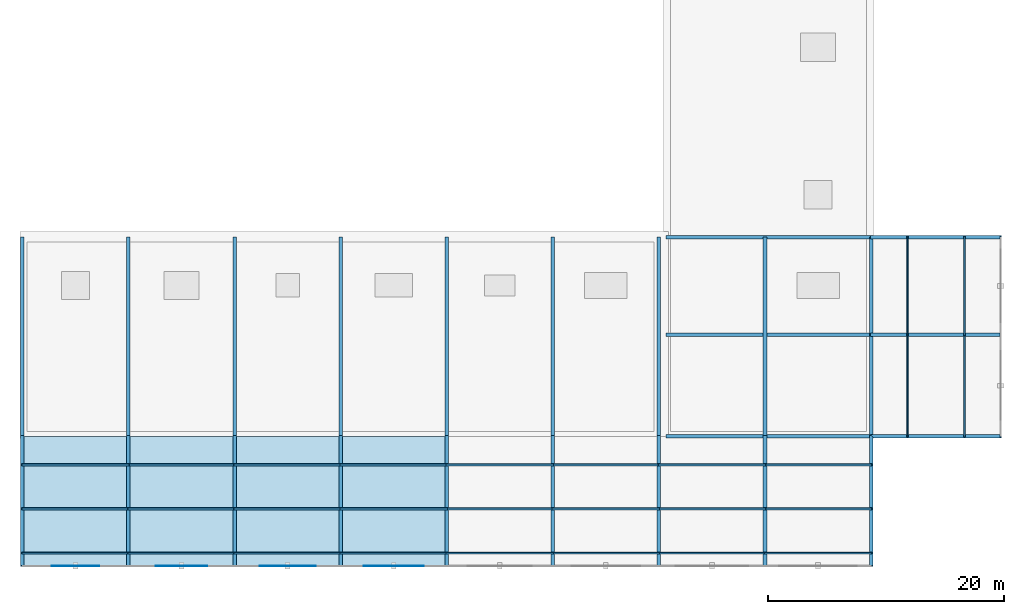
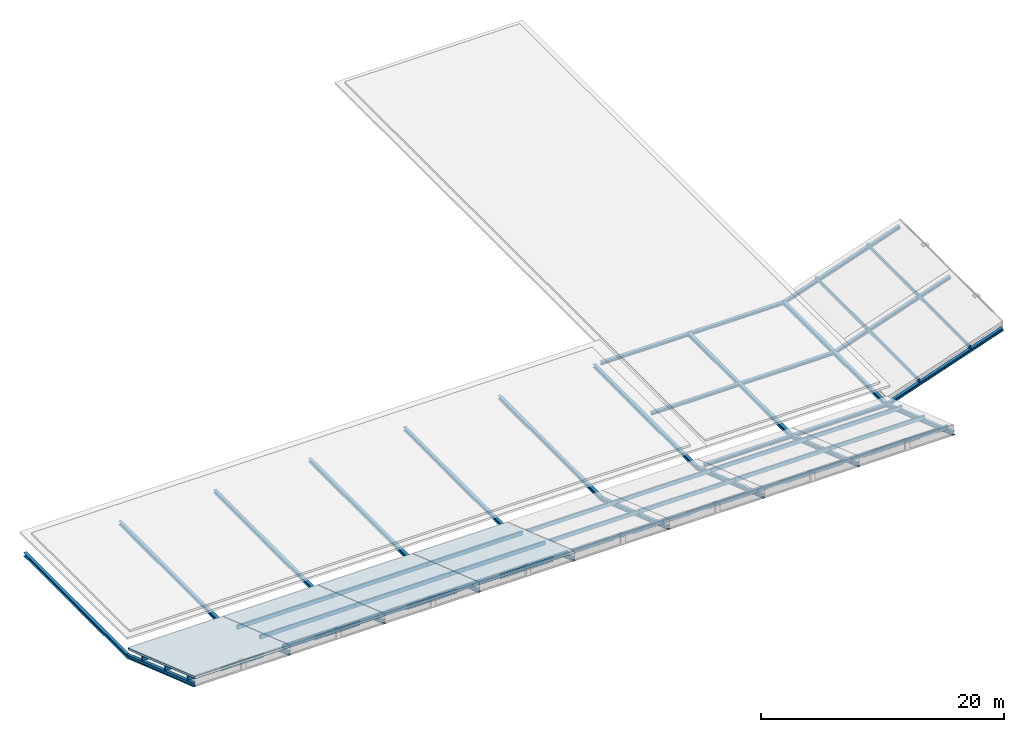
# One storey, part 1 of 3: 52 members, 4 plates, 4 slabs, 1 element without a shape of its own.
"""IFC4 building model written with IfcOpenShell, lengths in metres."""

from ifc_helpers import new_model, si_unit, direction, frame, origin, origin_2d, place, context, subcontext, project, spatial, polyline, rectangle, i_section, outline, extrude, material, layer, layer_set, material_profile, profile_set, type_object, element, aggregate, save


model = new_model("IFC4")

# Units and contexts
model_context = context("Model", 3, precision=1e-05, world=origin(), true_north=direction((0.0, 1.0)))
body_context = subcontext(model_context, "Body", "Model", "MODEL_VIEW")
ifc_project = project(units=[si_unit("LENGTHUNIT", "METRE"), si_unit("AREAUNIT", "SQUARE_METRE"), si_unit("VOLUMEUNIT", "CUBIC_METRE"), si_unit("PLANEANGLEUNIT", "RADIAN"), si_unit("MASSUNIT", "GRAM", prefix="KILO")], contexts=[model_context])

# Site, building, storey
site_placement = place(None, origin())
site = spatial("IfcSite", under=ifc_project, at=site_placement, CompositionType="ELEMENT")
building_placement = place(site_placement, origin())
building = spatial("IfcBuilding", under=site, at=building_placement, Name="Kaldris Quays Convention Centre", CompositionType="ELEMENT")
storey_placement = place(building_placement, frame((0.0, 0.0, 26.39990234375)))
storey = spatial("IfcBuildingStorey", under=building, at=storey_placement, Name="RF", CompositionType="ELEMENT", Elevation=26.39990234375)

# Members
ifc_material_1 = material(Name="Glulam GL28h", Category="wood")
ifc_material_profile_1 = material_profile(ifc_material_1, rectangle(XDim=0.159912109375, YDim=0.39990234375, at=origin_2d()), Name="GL 160x400")
ifc_profile_set_1 = profile_set([ifc_material_profile_1], Name="Glulam GL28h")
member_type_1 = type_object("IfcMemberType", Name="STRUCTURAL MEMBER PR01", PredefinedType="PURLIN", material=ifc_profile_set_1)
for number, where, z_axis, x_axis, name in (
    (1, (91.949951171875, 35.580078125, -0.798583984375), (1.0, 0.0, 0.0), (0.0, 1.0, 0.0), "WR-SOUTH-CROWN Glulam Wing Purlin 1"),
    (2, (91.949951171875, 31.840087890625, 0.4892578125), (1.0, 0.0, 0.0), (0.0, 1.0, 0.0), "WR-SOUTH-CROWN Glulam Wing Purlin 1"),
    (3, (91.949951171875, 28.10009765625, 1.777099609375), (1.0, 0.0, 0.0), (0.0, 1.0, 0.0), "WR-SOUTH-CROWN Glulam Wing Purlin 1"),
    (4, (100.949951171875, 35.580078125, -0.798583984375), (1.0, 0.0, 0.0), (0.0, 1.0, 0.0), "WR-SOUTH-CROWN Glulam Wing Purlin 2"),
    (5, (100.949951171875, 31.840087890625, 0.4892578125), (1.0, 0.0, 0.0), (0.0, 1.0, 0.0), "WR-SOUTH-CROWN Glulam Wing Purlin 2"),
    (6, (100.949951171875, 28.10009765625, 1.777099609375), (1.0, 0.0, 0.0), (0.0, 1.0, 0.0), "WR-SOUTH-CROWN Glulam Wing Purlin 2"),
    (7, (109.949951171875, 35.580078125, -0.798583984375), (1.0, 0.0, 0.0), (0.0, 1.0, 0.0), "WR-SOUTH-CROWN Glulam Wing Purlin 3"),
    (8, (109.949951171875, 31.840087890625, 0.4892578125), (1.0, 0.0, 0.0), (0.0, 1.0, 0.0), "WR-SOUTH-CROWN Glulam Wing Purlin 3"),
    (9, (109.949951171875, 28.10009765625, 1.777099609375), (1.0, 0.0, 0.0), (0.0, 1.0, 0.0), "WR-SOUTH-CROWN Glulam Wing Purlin 3"),
    (10, (118.949951171875, 35.580078125, -0.798583984375), (1.0, 0.0, 0.0), (0.0, 1.0, 0.0), "WR-SOUTH-CROWN Glulam Wing Purlin 4"),
    (11, (118.949951171875, 31.840087890625, 0.4892578125), (1.0, 0.0, 0.0), (0.0, 1.0, 0.0), "WR-SOUTH-CROWN Glulam Wing Purlin 4"),
    (12, (118.949951171875, 28.10009765625, 1.777099609375), (1.0, 0.0, 0.0), (0.0, 1.0, 0.0), "WR-SOUTH-CROWN Glulam Wing Purlin 4"),
    (13, (127.949951171875, 35.580078125, -0.798583984375), (1.0, 0.0, 0.0), (0.0, 1.0, 0.0), "WR-SOUTH-CROWN Glulam Wing Purlin 5"),
    (14, (127.949951171875, 31.840087890625, 0.4892578125), (1.0, 0.0, 0.0), (0.0, 1.0, 0.0), "WR-SOUTH-CROWN Glulam Wing Purlin 5"),
    (15, (127.949951171875, 28.10009765625, 1.777099609375), (1.0, 0.0, 0.0), (0.0, 1.0, 0.0), "WR-SOUTH-CROWN Glulam Wing Purlin 5"),
    (16, (136.949951171875, 35.580078125, -0.798583984375), (1.0, 0.0, 0.0), (0.0, 1.0, 0.0), "WR-SOUTH-CROWN Glulam Wing Purlin 6"),
    (17, (136.949951171875, 31.840087890625, 0.4892578125), (1.0, 0.0, 0.0), (0.0, 1.0, 0.0), "WR-SOUTH-CROWN Glulam Wing Purlin 6"),
    (18, (136.949951171875, 28.10009765625, 1.777099609375), (1.0, 0.0, 0.0), (0.0, 1.0, 0.0), "WR-SOUTH-CROWN Glulam Wing Purlin 6"),
    (19, (145.949951171875, 35.580078125, -0.798583984375), (1.0, 0.0, 0.0), (0.0, 1.0, 0.0), "WR-SOUTH-CROWN Glulam Wing Purlin 7"),
    (20, (145.949951171875, 31.840087890625, 0.4892578125), (1.0, 0.0, 0.0), (0.0, 1.0, 0.0), "WR-SOUTH-CROWN Glulam Wing Purlin 7"),
    (21, (145.949951171875, 28.10009765625, 1.777099609375), (1.0, 0.0, 0.0), (0.0, 1.0, 0.0), "WR-SOUTH-CROWN Glulam Wing Purlin 7"),
    (22, (154.949951171875, 35.580078125, -0.798583984375), (1.0, 0.0, 0.0), (0.0, 1.0, 0.0), "WR-SOUTH-CROWN Glulam Wing Purlin 8"),
    (23, (154.949951171875, 31.840087890625, 0.4892578125), (1.0, 0.0, 0.0), (0.0, 1.0, 0.0), "WR-SOUTH-CROWN Glulam Wing Purlin 8"),
    (24, (154.949951171875, 28.10009765625, 1.777099609375), (1.0, 0.0, 0.0), (0.0, 1.0, 0.0), "WR-SOUTH-CROWN Glulam Wing Purlin 8"),
):
    element("IfcMember", number, at=place(storey_placement, frame(where, z_axis=z_axis, x_axis=x_axis)), inside=storey, type_object=member_type_1, Name=name, PredefinedType="PURLIN", context=body_context, shape_type="SweptSolid", body=[
        extrude(rectangle(XDim=0.159912109375, YDim=0.39990234375, at=origin_2d()), origin(), (0.0, 0.0, 1.0), 9.10009765625),
    ])
ifc_material_profile_2 = material_profile(ifc_material_1, rectangle(XDim=0.139892578125, YDim=0.320068359375, at=origin_2d()), Name="GL 140x320")
ifc_profile_set_2 = profile_set([ifc_material_profile_2], Name="Glulam GL28h")
member_type_2 = type_object("IfcMemberType", Name="STRUCTURAL MEMBER PR02", PredefinedType="PURLIN", material=ifc_profile_set_2)
for number, where, z_axis, x_axis, name in (
    (25, (167.080078125, 37.949951171875, -0.641357421875), (0.0, 1.0, 0.0), (-1.0, 0.0, 0.0), "WR-EAST Glulam Wing Purlin 1"),
    (26, (171.919921875, 37.949951171875, 1.025146484375), (0.0, 1.0, 0.0), (-1.0, 0.0, 0.0), "WR-EAST Glulam Wing Purlin 1"),
):
    element("IfcMember", number, at=place(storey_placement, frame(where, z_axis=z_axis, x_axis=x_axis)), inside=storey, type_object=member_type_2, Name=name, PredefinedType="PURLIN", context=body_context, shape_type="SweptSolid", body=[
        extrude(rectangle(XDim=0.139892578125, YDim=0.320068359375, at=origin_2d()), origin(), (0.0, 0.0, 1.0), 8.699951171875),
    ])
for number, where, z_axis, x_axis, name in (
    (27, (167.080078125, 46.550048828125, -0.641357421875), (0.0, 1.0, 0.0), (-1.0, 0.0, 0.0), "WR-EAST Glulam Wing Purlin 2"),
    (28, (171.919921875, 46.550048828125, 1.025146484375), (0.0, 1.0, 0.0), (-1.0, 0.0, 0.0), "WR-EAST Glulam Wing Purlin 2"),
):
    element("IfcMember", number, at=place(storey_placement, frame(where, z_axis=z_axis, x_axis=x_axis)), inside=storey, type_object=member_type_2, Name=name, PredefinedType="PURLIN", context=body_context, shape_type="SweptSolid", body=[
        extrude(rectangle(XDim=0.139892578125, YDim=0.320068359375, at=origin_2d()), origin(), (0.0, 0.0, 1.0), 8.39990234375),
    ])
ifc_material_2 = material(Name="Steel S355J2", Category="steel")
ifc_material_profile_3 = material_profile(ifc_material_2, i_section(OverallWidth=0.300048828125, OverallDepth=0.35009765625, WebThickness=0.010009765625, FlangeThickness=0.017578125, FilletRadius=0.027099609375, at=origin_2d()), Name="HEA 360")
ifc_profile_set_3 = profile_set([ifc_material_profile_3], Name="Steel S355J2")
member_type_3 = type_object("IfcMemberType", Name="STRUCTURAL MEMBER WRF1", PredefinedType="RAFTER", material=ifc_profile_set_3)
member_1_placement = place(storey_placement, frame((92.0, 54.89990234375, -2.0), z_axis=(0.0, -1.0, 0.0), x_axis=(1.0, 0.0, 0.0)))
element("IfcMember", 29, at=member_1_placement, inside=storey, type_object=member_type_3, Name="WR-SOUTH-CROWN Wing Rafter Backspan 1", PredefinedType="RAFTER", context=body_context, shape_type="SweptSolid", body=[
    extrude(i_section(OverallWidth=0.300048828125, OverallDepth=0.35009765625, WebThickness=0.010009765625, FlangeThickness=0.017578125, FilletRadius=0.027099609375, at=origin_2d()), origin(), (0.0, 0.0, 1.0), 16.89990234375),
])
member_2_placement = place(storey_placement, frame((92.0, 38.0, -2.0), z_axis=(0.0, -0.945518736739, 0.325567686474), x_axis=(1.0, 0.0, 0.0)))
element("IfcMember", 30, at=member_2_placement, inside=storey, type_object=member_type_3, Name="WR-SOUTH-CROWN Wing Cantilever Rafter 1", PredefinedType="RAFTER", context=body_context, shape_type="SweptSolid", body=[
    extrude(i_section(OverallWidth=0.300048828125, OverallDepth=0.35009765625, WebThickness=0.010009765625, FlangeThickness=0.017578125, FilletRadius=0.027099609375, at=origin_2d()), origin(), (0.0, 0.0, 1.0), 11.6337890625),
])
member_3_placement = place(storey_placement, frame((101.0, 54.89990234375, -2.0), z_axis=(0.0, -1.0, 0.0), x_axis=(1.0, 0.0, 0.0)))
element("IfcMember", 31, at=member_3_placement, inside=storey, type_object=member_type_3, Name="WR-SOUTH-CROWN Wing Rafter Backspan 2", PredefinedType="RAFTER", context=body_context, shape_type="SweptSolid", body=[
    extrude(i_section(OverallWidth=0.300048828125, OverallDepth=0.35009765625, WebThickness=0.010009765625, FlangeThickness=0.017578125, FilletRadius=0.027099609375, at=origin_2d()), origin(), (0.0, 0.0, 1.0), 16.89990234375),
])
member_4_placement = place(storey_placement, frame((101.0, 38.0, -2.0), z_axis=(0.0, -0.945518736739, 0.325567686474), x_axis=(1.0, 0.0, 0.0)))
element("IfcMember", 32, at=member_4_placement, inside=storey, type_object=member_type_3, Name="WR-SOUTH-CROWN Wing Cantilever Rafter 2", PredefinedType="RAFTER", context=body_context, shape_type="SweptSolid", body=[
    extrude(i_section(OverallWidth=0.300048828125, OverallDepth=0.35009765625, WebThickness=0.010009765625, FlangeThickness=0.017578125, FilletRadius=0.027099609375, at=origin_2d()), origin(), (0.0, 0.0, 1.0), 11.6337890625),
])
member_5_placement = place(storey_placement, frame((110.0, 54.89990234375, -2.0), z_axis=(0.0, -1.0, 0.0), x_axis=(1.0, 0.0, 0.0)))
element("IfcMember", 33, at=member_5_placement, inside=storey, type_object=member_type_3, Name="WR-SOUTH-CROWN Wing Rafter Backspan 3", PredefinedType="RAFTER", context=body_context, shape_type="SweptSolid", body=[
    extrude(i_section(OverallWidth=0.300048828125, OverallDepth=0.35009765625, WebThickness=0.010009765625, FlangeThickness=0.017578125, FilletRadius=0.027099609375, at=origin_2d()), origin(), (0.0, 0.0, 1.0), 16.89990234375),
])
member_6_placement = place(storey_placement, frame((110.0, 38.0, -2.0), z_axis=(0.0, -0.945518736739, 0.325567686474), x_axis=(1.0, 0.0, 0.0)))
element("IfcMember", 34, at=member_6_placement, inside=storey, type_object=member_type_3, Name="WR-SOUTH-CROWN Wing Cantilever Rafter 3", PredefinedType="RAFTER", context=body_context, shape_type="SweptSolid", body=[
    extrude(i_section(OverallWidth=0.300048828125, OverallDepth=0.35009765625, WebThickness=0.010009765625, FlangeThickness=0.017578125, FilletRadius=0.027099609375, at=origin_2d()), origin(), (0.0, 0.0, 1.0), 11.6337890625),
])
member_7_placement = place(storey_placement, frame((119.0, 54.89990234375, -2.0), z_axis=(0.0, -1.0, 0.0), x_axis=(1.0, 0.0, 0.0)))
element("IfcMember", 35, at=member_7_placement, inside=storey, type_object=member_type_3, Name="WR-SOUTH-CROWN Wing Rafter Backspan 4", PredefinedType="RAFTER", context=body_context, shape_type="SweptSolid", body=[
    extrude(i_section(OverallWidth=0.300048828125, OverallDepth=0.35009765625, WebThickness=0.010009765625, FlangeThickness=0.017578125, FilletRadius=0.027099609375, at=origin_2d()), origin(), (0.0, 0.0, 1.0), 16.89990234375),
])
member_8_placement = place(storey_placement, frame((119.0, 38.0, -2.0), z_axis=(0.0, -0.945518736739, 0.325567686474), x_axis=(1.0, 0.0, 0.0)))
element("IfcMember", 36, at=member_8_placement, inside=storey, type_object=member_type_3, Name="WR-SOUTH-CROWN Wing Cantilever Rafter 4", PredefinedType="RAFTER", context=body_context, shape_type="SweptSolid", body=[
    extrude(i_section(OverallWidth=0.300048828125, OverallDepth=0.35009765625, WebThickness=0.010009765625, FlangeThickness=0.017578125, FilletRadius=0.027099609375, at=origin_2d()), origin(), (0.0, 0.0, 1.0), 11.6337890625),
])
member_9_placement = place(storey_placement, frame((128.0, 54.89990234375, -2.0), z_axis=(0.0, -1.0, 0.0), x_axis=(1.0, 0.0, 0.0)))
element("IfcMember", 37, at=member_9_placement, inside=storey, type_object=member_type_3, Name="WR-SOUTH-CROWN Wing Rafter Backspan 5", PredefinedType="RAFTER", context=body_context, shape_type="SweptSolid", body=[
    extrude(i_section(OverallWidth=0.300048828125, OverallDepth=0.35009765625, WebThickness=0.010009765625, FlangeThickness=0.017578125, FilletRadius=0.027099609375, at=origin_2d()), origin(), (0.0, 0.0, 1.0), 16.89990234375),
])
member_10_placement = place(storey_placement, frame((128.0, 38.0, -2.0), z_axis=(0.0, -0.945518736739, 0.325567686474), x_axis=(1.0, 0.0, 0.0)))
element("IfcMember", 38, at=member_10_placement, inside=storey, type_object=member_type_3, Name="WR-SOUTH-CROWN Wing Cantilever Rafter 5", PredefinedType="RAFTER", context=body_context, shape_type="SweptSolid", body=[
    extrude(i_section(OverallWidth=0.300048828125, OverallDepth=0.35009765625, WebThickness=0.010009765625, FlangeThickness=0.017578125, FilletRadius=0.027099609375, at=origin_2d()), origin(), (0.0, 0.0, 1.0), 11.6337890625),
])
member_11_placement = place(storey_placement, frame((137.0, 54.89990234375, -2.0), z_axis=(0.0, -1.0, 0.0), x_axis=(1.0, 0.0, 0.0)))
element("IfcMember", 39, at=member_11_placement, inside=storey, type_object=member_type_3, Name="WR-SOUTH-CROWN Wing Rafter Backspan 6", PredefinedType="RAFTER", context=body_context, shape_type="SweptSolid", body=[
    extrude(i_section(OverallWidth=0.300048828125, OverallDepth=0.35009765625, WebThickness=0.010009765625, FlangeThickness=0.017578125, FilletRadius=0.027099609375, at=origin_2d()), origin(), (0.0, 0.0, 1.0), 16.89990234375),
])
member_12_placement = place(storey_placement, frame((137.0, 38.0, -2.0), z_axis=(0.0, -0.945518736739, 0.325567686474), x_axis=(1.0, 0.0, 0.0)))
element("IfcMember", 40, at=member_12_placement, inside=storey, type_object=member_type_3, Name="WR-SOUTH-CROWN Wing Cantilever Rafter 6", PredefinedType="RAFTER", context=body_context, shape_type="SweptSolid", body=[
    extrude(i_section(OverallWidth=0.300048828125, OverallDepth=0.35009765625, WebThickness=0.010009765625, FlangeThickness=0.017578125, FilletRadius=0.027099609375, at=origin_2d()), origin(), (0.0, 0.0, 1.0), 11.6337890625),
])
member_13_placement = place(storey_placement, frame((146.0, 54.89990234375, -2.0), z_axis=(0.0, -1.0, 0.0), x_axis=(1.0, 0.0, 0.0)))
element("IfcMember", 41, at=member_13_placement, inside=storey, type_object=member_type_3, Name="WR-SOUTH-CROWN Wing Rafter Backspan 7", PredefinedType="RAFTER", context=body_context, shape_type="SweptSolid", body=[
    extrude(i_section(OverallWidth=0.300048828125, OverallDepth=0.35009765625, WebThickness=0.010009765625, FlangeThickness=0.017578125, FilletRadius=0.027099609375, at=origin_2d()), origin(), (0.0, 0.0, 1.0), 16.89990234375),
])
member_14_placement = place(storey_placement, frame((146.0, 38.0, -2.0), z_axis=(0.0, -0.945518736739, 0.325567686474), x_axis=(1.0, 0.0, 0.0)))
element("IfcMember", 42, at=member_14_placement, inside=storey, type_object=member_type_3, Name="WR-SOUTH-CROWN Wing Cantilever Rafter 7", PredefinedType="RAFTER", context=body_context, shape_type="SweptSolid", body=[
    extrude(i_section(OverallWidth=0.300048828125, OverallDepth=0.35009765625, WebThickness=0.010009765625, FlangeThickness=0.017578125, FilletRadius=0.027099609375, at=origin_2d()), origin(), (0.0, 0.0, 1.0), 11.6337890625),
])
member_15_placement = place(storey_placement, frame((155.0, 54.89990234375, -2.0), z_axis=(0.0, -1.0, 0.0), x_axis=(1.0, 0.0, 0.0)))
element("IfcMember", 43, at=member_15_placement, inside=storey, type_object=member_type_3, Name="WR-SOUTH-CROWN Wing Rafter Backspan 8", PredefinedType="RAFTER", context=body_context, shape_type="SweptSolid", body=[
    extrude(i_section(OverallWidth=0.300048828125, OverallDepth=0.35009765625, WebThickness=0.010009765625, FlangeThickness=0.017578125, FilletRadius=0.027099609375, at=origin_2d()), origin(), (0.0, 0.0, 1.0), 16.89990234375),
])
member_16_placement = place(storey_placement, frame((155.0, 38.0, -2.0), z_axis=(0.0, -0.945518736739, 0.325567686474), x_axis=(1.0, 0.0, 0.0)))
element("IfcMember", 44, at=member_16_placement, inside=storey, type_object=member_type_3, Name="WR-SOUTH-CROWN Wing Cantilever Rafter 8", PredefinedType="RAFTER", context=body_context, shape_type="SweptSolid", body=[
    extrude(i_section(OverallWidth=0.300048828125, OverallDepth=0.35009765625, WebThickness=0.010009765625, FlangeThickness=0.017578125, FilletRadius=0.027099609375, at=origin_2d()), origin(), (0.0, 0.0, 1.0), 11.6337890625),
])
member_17_placement = place(storey_placement, frame((164.0, 54.89990234375, -2.0), z_axis=(0.0, -1.0, 0.0), x_axis=(1.0, 0.0, 0.0)))
element("IfcMember", 45, at=member_17_placement, inside=storey, type_object=member_type_3, Name="WR-SOUTH-CROWN Wing Rafter Backspan 9", PredefinedType="RAFTER", context=body_context, shape_type="SweptSolid", body=[
    extrude(i_section(OverallWidth=0.300048828125, OverallDepth=0.35009765625, WebThickness=0.010009765625, FlangeThickness=0.017578125, FilletRadius=0.027099609375, at=origin_2d()), origin(), (0.0, 0.0, 1.0), 16.89990234375),
])
member_18_placement = place(storey_placement, frame((164.0, 38.0, -2.0), z_axis=(0.0, -0.945518736739, 0.325567686474), x_axis=(1.0, 0.0, 0.0)))
element("IfcMember", 46, at=member_18_placement, inside=storey, type_object=member_type_3, Name="WR-SOUTH-CROWN Wing Cantilever Rafter 9", PredefinedType="RAFTER", context=body_context, shape_type="SweptSolid", body=[
    extrude(i_section(OverallWidth=0.300048828125, OverallDepth=0.35009765625, WebThickness=0.010009765625, FlangeThickness=0.017578125, FilletRadius=0.027099609375, at=origin_2d()), origin(), (0.0, 0.0, 1.0), 11.6337890625),
])
ifc_material_profile_4 = material_profile(ifc_material_2, i_section(OverallWidth=0.300048828125, OverallDepth=0.2900390625, WebThickness=0.008544921875, FlangeThickness=0.013916015625, FilletRadius=0.027099609375, at=origin_2d()), Name="HEA 300")
ifc_profile_set_4 = profile_set([ifc_material_profile_4], Name="Steel S355J2")
member_type_4 = type_object("IfcMemberType", Name="STRUCTURAL MEMBER WRF2", PredefinedType="RAFTER", material=ifc_profile_set_4)
member_19_placement = place(storey_placement, frame((146.60009765625, 38.0, -2.0), z_axis=(1.0, 0.0, 0.0), x_axis=(0.0, 1.0, 0.0)))
element("IfcMember", 47, at=member_19_placement, inside=storey, type_object=member_type_4, Name="WR-EAST Wing Rafter Backspan 1", PredefinedType="RAFTER", context=body_context, shape_type="SweptSolid", body=[
    extrude(i_section(OverallWidth=0.300048828125, OverallDepth=0.2900390625, WebThickness=0.008544921875, FlangeThickness=0.013916015625, FilletRadius=0.027099609375, at=origin_2d()), origin(), (0.0, 0.0, 1.0), 17.39990234375),
])
member_20_placement = place(storey_placement, frame((164.0, 38.0, -2.0), z_axis=(0.945518736739, 0.0, 0.325567686474), x_axis=(0.0, 1.0, 0.0)))
element("IfcMember", 48, at=member_20_placement, inside=storey, type_object=member_type_4, Name="WR-EAST Wing Cantilever Rafter 1", PredefinedType="RAFTER", context=body_context, shape_type="SweptSolid", body=[
    extrude(i_section(OverallWidth=0.300048828125, OverallDepth=0.2900390625, WebThickness=0.008544921875, FlangeThickness=0.013916015625, FilletRadius=0.027099609375, at=origin_2d()), origin(), (0.0, 0.0, 1.0), 11.6337890625),
])
member_21_placement = place(storey_placement, frame((146.60009765625, 46.60009765625, -2.0), z_axis=(1.0, 0.0, 0.0), x_axis=(0.0, 1.0, 0.0)))
element("IfcMember", 49, at=member_21_placement, inside=storey, type_object=member_type_4, Name="WR-EAST Wing Rafter Backspan 2", PredefinedType="RAFTER", context=body_context, shape_type="SweptSolid", body=[
    extrude(i_section(OverallWidth=0.300048828125, OverallDepth=0.2900390625, WebThickness=0.008544921875, FlangeThickness=0.013916015625, FilletRadius=0.027099609375, at=origin_2d()), origin(), (0.0, 0.0, 1.0), 17.39990234375),
])
member_22_placement = place(storey_placement, frame((164.0, 46.60009765625, -2.0), z_axis=(0.945518736739, 0.0, 0.325567686474), x_axis=(0.0, 1.0, 0.0)))
element("IfcMember", 50, at=member_22_placement, inside=storey, type_object=member_type_4, Name="WR-EAST Wing Cantilever Rafter 2", PredefinedType="RAFTER", context=body_context, shape_type="SweptSolid", body=[
    extrude(i_section(OverallWidth=0.300048828125, OverallDepth=0.2900390625, WebThickness=0.008544921875, FlangeThickness=0.013916015625, FilletRadius=0.027099609375, at=origin_2d()), origin(), (0.0, 0.0, 1.0), 11.6337890625),
])
member_23_placement = place(storey_placement, frame((146.60009765625, 54.89990234375, -2.0), z_axis=(1.0, 0.0, 0.0), x_axis=(0.0, 1.0, 0.0)))
element("IfcMember", 51, at=member_23_placement, inside=storey, type_object=member_type_4, Name="WR-EAST Wing Rafter Backspan 3", PredefinedType="RAFTER", context=body_context, shape_type="SweptSolid", body=[
    extrude(i_section(OverallWidth=0.300048828125, OverallDepth=0.2900390625, WebThickness=0.008544921875, FlangeThickness=0.013916015625, FilletRadius=0.027099609375, at=origin_2d()), origin(), (0.0, 0.0, 1.0), 17.39990234375),
])
member_24_placement = place(storey_placement, frame((164.0, 54.89990234375, -2.0), z_axis=(0.945518736739, 0.0, 0.325567686474), x_axis=(0.0, 1.0, 0.0)))
element("IfcMember", 52, at=member_24_placement, inside=storey, type_object=member_type_4, Name="WR-EAST Wing Cantilever Rafter 3", PredefinedType="RAFTER", context=body_context, shape_type="SweptSolid", body=[
    extrude(i_section(OverallWidth=0.300048828125, OverallDepth=0.2900390625, WebThickness=0.008544921875, FlangeThickness=0.013916015625, FilletRadius=0.027099609375, at=origin_2d()), origin(), (0.0, 0.0, 1.0), 11.6337890625),
])

# Roof, slabs
ifc_layer_1 = layer(ifc_material_2, 0.196044921875)
ifc_layer_set_1 = layer_set([ifc_layer_1], Name="Steel S355J2")
roof_type = type_object("IfcRoofType", Name="WING SHED ROOF RF02", PredefinedType="SHED_ROOF", material=ifc_layer_set_1)
roof_placement = place(storey_placement, origin())
roof = element("IfcRoof", 53, at=roof_placement, inside=storey, type_object=roof_type, Name="Rhine Promenade Crown Foyer Raised Wing Roof", PredefinedType="SHED_ROOF")
ifc_layer_2 = layer(ifc_material_2, 0.196044921875)
ifc_layer_set_2 = layer_set([ifc_layer_2], Name="Steel S355J2")
slab_type = type_object("IfcSlabType", Name="STRUCTURAL SLAB WR01", PredefinedType="ROOF", material=ifc_layer_set_2)
slab_1_placement = place(storey_placement, frame((92.0, 27.0, 2.587890625), z_axis=(0.0, 0.325567686474, 0.945518736739), x_axis=(1.0, 0.0, 0.0)))
slab_1 = element("IfcSlab", 54, at=slab_1_placement, type_object=slab_type, Name="WR-SOUTH-CROWN Tilted Wing Roof Slab 1", PredefinedType="ROOF", context=body_context, shape_type="SweptSolid", body=[
    extrude(outline(polyline([(0.0, 0.0), (9.0, 0.0), (9.0, 11.633825510365472), (0.0, 11.633825510365472), (0.0, 0.0)])), origin(), (0.0, 0.0, -1.0), 0.196044921875),
])
slab_2_placement = place(storey_placement, frame((101.0, 27.0, 2.587890625), z_axis=(0.0, 0.325567686474, 0.945518736739), x_axis=(1.0, 0.0, 0.0)))
slab_2 = element("IfcSlab", 55, at=slab_2_placement, type_object=slab_type, Name="WR-SOUTH-CROWN Tilted Wing Roof Slab 2", PredefinedType="ROOF", context=body_context, shape_type="SweptSolid", body=[
    extrude(outline(polyline([(0.0, 0.0), (9.0, 0.0), (9.0, 11.633825510365472), (0.0, 11.633825510365472), (0.0, 0.0)])), origin(), (0.0, 0.0, -1.0), 0.196044921875),
])
slab_3_placement = place(storey_placement, frame((110.0, 27.0, 2.587890625), z_axis=(0.0, 0.325567686474, 0.945518736739), x_axis=(1.0, 0.0, 0.0)))
slab_3 = element("IfcSlab", 56, at=slab_3_placement, type_object=slab_type, Name="WR-SOUTH-CROWN Tilted Wing Roof Slab 3", PredefinedType="ROOF", context=body_context, shape_type="SweptSolid", body=[
    extrude(outline(polyline([(0.0, 0.0), (9.0, 0.0), (9.0, 11.633825510365472), (0.0, 11.633825510365472), (0.0, 0.0)])), origin(), (0.0, 0.0, -1.0), 0.196044921875),
])
slab_4_placement = place(storey_placement, frame((119.0, 27.0, 2.587890625), z_axis=(0.0, 0.325567686474, 0.945518736739), x_axis=(1.0, 0.0, 0.0)))
slab_4 = element("IfcSlab", 57, at=slab_4_placement, type_object=slab_type, Name="WR-SOUTH-CROWN Tilted Wing Roof Slab 4", PredefinedType="ROOF", context=body_context, shape_type="SweptSolid", body=[
    extrude(outline(polyline([(0.0, 0.0), (9.0, 0.0), (9.0, 11.633825510365472), (0.0, 11.633825510365472), (0.0, 0.0)])), origin(), (0.0, 0.0, -1.0), 0.196044921875),
])
aggregate(roof, [slab_1, slab_2, slab_3, slab_4])

# Plates
ifc_material_3 = material(Name="Alabaster white star-pierced anodized aluminium panel", Category="aluminium")
plate_type_1 = type_object("IfcPlateType", Name="WING EAVE FASCIA SHEET FP02", PredefinedType="SHEET", material=ifc_material_3)
plate_1_placement = place(storey_placement, frame((96.5, 27.0, 2.2431640625), z_axis=(0.0, 0.0, 1.0), x_axis=(1.0, 0.0, 0.0)))
element("IfcPlate", 58, at=plate_1_placement, inside=storey, type_object=plate_type_1, Name="WR-SOUTH-CROWN Wing Eave Fascia Sheet FP02 2", PredefinedType="SHEET", context=body_context, shape_type="SweptSolid", body=[
    extrude(rectangle(XDim=4.02001953125, YDim=0.01806640625, at=origin_2d()), origin(), (0.0, 0.0, 1.0), 0.409912109375),
])
plate_type_2 = type_object("IfcPlateType", Name="WING EAVE FASCIA SHEET FP03", PredefinedType="SHEET", material=ifc_material_3)
plate_2_placement = place(storey_placement, frame((105.5, 27.0, 2.2255859375), z_axis=(0.0, 0.0, 1.0), x_axis=(1.0, 0.0, 0.0)))
element("IfcPlate", 59, at=plate_2_placement, inside=storey, type_object=plate_type_2, Name="WR-SOUTH-CROWN Wing Eave Fascia Sheet FP03 3", PredefinedType="SHEET", context=body_context, shape_type="SweptSolid", body=[
    extrude(rectangle(XDim=4.3798828125, YDim=0.02001953125, at=origin_2d()), origin(), (0.0, 0.0, 1.0), 0.445068359375),
])
plate_type_3 = type_object("IfcPlateType", Name="WING EAVE FASCIA SHEET FP04", PredefinedType="SHEET", material=ifc_material_3)
plate_3_placement = place(storey_placement, frame((114.5, 27.0, 2.2080078125), z_axis=(0.0, 0.0, 1.0), x_axis=(1.0, 0.0, 0.0)))
element("IfcPlate", 60, at=plate_3_placement, inside=storey, type_object=plate_type_3, Name="WR-SOUTH-CROWN Wing Eave Fascia Sheet FP04 4", PredefinedType="SHEET", context=body_context, shape_type="SweptSolid", body=[
    extrude(rectangle(XDim=4.739990234375, YDim=0.013916015625, at=origin_2d()), origin(), (0.0, 0.0, 1.0), 0.47998046875),
])
plate_type_4 = type_object("IfcPlateType", Name="WING EAVE FASCIA SHEET FP05", PredefinedType="SHEET", material=ifc_material_3)
plate_4_placement = place(storey_placement, frame((123.5, 27.0, 2.1904296875), z_axis=(0.0, 0.0, 1.0), x_axis=(1.0, 0.0, 0.0)))
element("IfcPlate", 61, at=plate_4_placement, inside=storey, type_object=plate_type_4, Name="WR-SOUTH-CROWN Wing Eave Fascia Sheet FP05 5", PredefinedType="SHEET", context=body_context, shape_type="SweptSolid", body=[
    extrude(rectangle(XDim=5.10009765625, YDim=0.01611328125, at=origin_2d()), origin(), (0.0, 0.0, 1.0), 0.514892578125),
])

save(model, "model.ifc")
